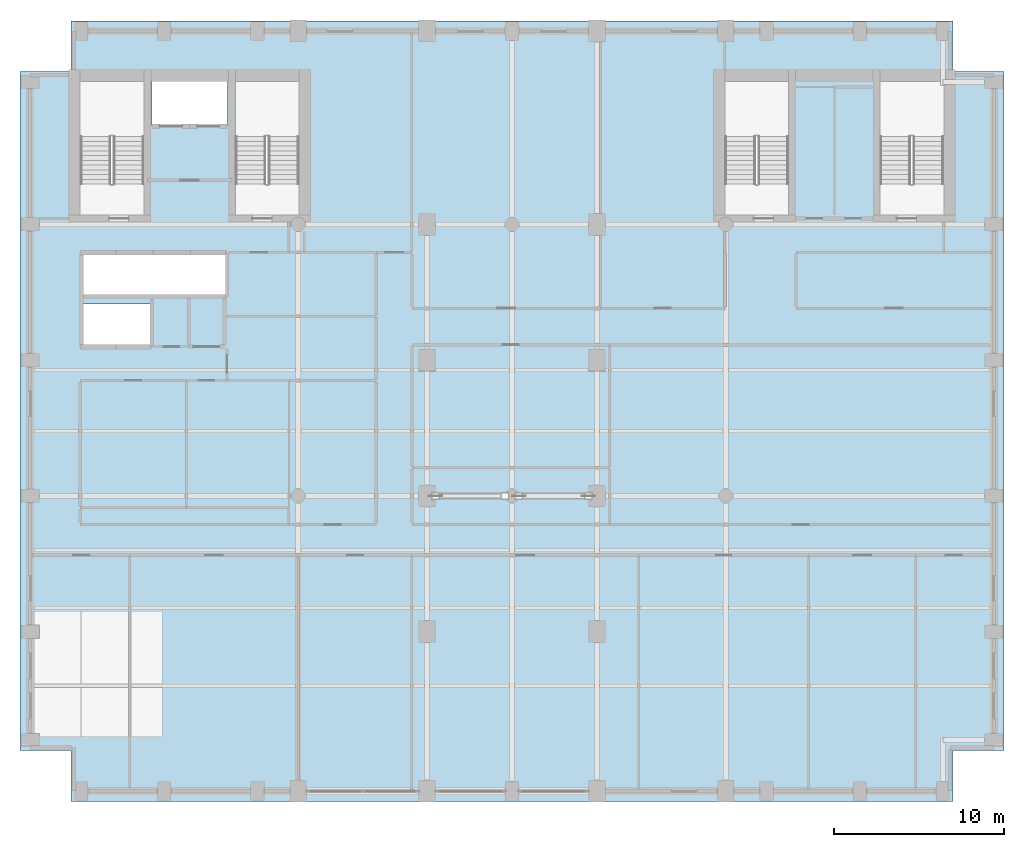
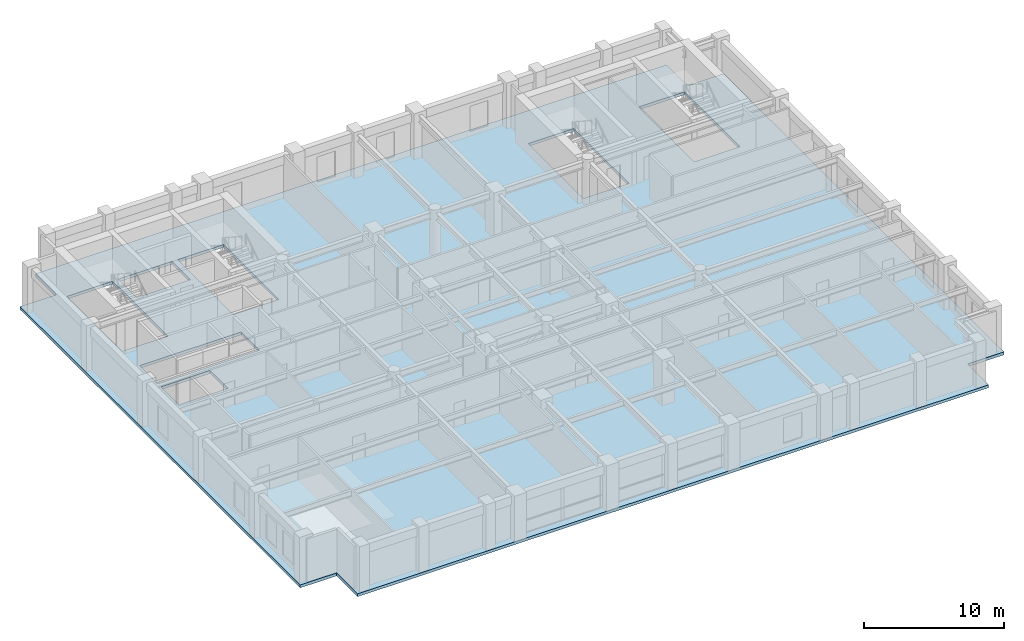
# One storey, part 5 of 13: 1 slab.
"""IFC4 building model written with IfcOpenShell, lengths in metres."""

import ifcopenshell
import ifcopenshell.guid

model = None  # the IFC model being written
_history = None  # IfcOwnerHistory: only IFC2X3 demands one
_inside = {}  # id of a spatial element -> (the spatial element, [elements in it])
_under = {}  # id of a project, library or spatial element -> (it, [spatial elements below it])
_declared = {}  # id of a project -> (the project, [libraries it declares])
_typed = {}  # id of a type object -> (the type object, [elements of that type])
_made_of = {}  # id of a material, layer set ... -> (it, [elements and type objects made of it])


def new_model(schema):
    """Start an empty IFC model of exactly this schema.

    Asked for "IFC4X3", IfcOpenShell would pick the latest addendum, in which some entities
    have other attributes; the version numbers below select the first issue.
    IFC2X3 requires an IfcOwnerHistory on every rooted entity: one is made here for all.
    """
    global model, _history
    if schema == "IFC4X3":
        model = ifcopenshell.file(schema_version=(4, 3, 0, 0))
    else:
        model = ifcopenshell.file(schema=schema)
    _inside.clear()
    _under.clear()
    _declared.clear()
    _typed.clear()
    _made_of.clear()
    _history = None
    if model.schema == "IFC2X3":
        org = make("IfcOrganization", Name="unknown")
        user = make(
            "IfcPersonAndOrganization",
            ThePerson=make("IfcPerson", FamilyName="unknown"),
            TheOrganization=org,
        )
        app = make(
            "IfcApplication",
            ApplicationDeveloper=org,
            Version="unknown",
            ApplicationFullName="unknown",
            ApplicationIdentifier="unknown",
        )
        _history = make(
            "IfcOwnerHistory",
            OwningUser=user,
            OwningApplication=app,
            ChangeAction="ADDED",
            CreationDate=0,
        )
    return model


def make(cls, **values):
    """One entity of the class cls with the attributes given. An attribute that is None is left unset."""
    return model.create_entity(
        cls, **{name: value for name, value in values.items() if value is not None}
    )


def rooted(cls, **values):
    """An entity with a GlobalId (a new one), such as an element, a storey or a relation."""
    return make(cls, GlobalId=ifcopenshell.guid.new(), OwnerHistory=_history, **values)


def si_unit(unit_type, name, prefix=None):
    """IfcSIUnit, for example si_unit("LENGTHUNIT", "METRE", prefix="MILLI")."""
    return make("IfcSIUnit", UnitType=unit_type, Prefix=prefix, Name=name)


def assignment(units):
    """IfcUnitAssignment: the units of a project."""
    return None if units is None else make("IfcUnitAssignment", Units=units)


def point(xyz):
    """IfcCartesianPoint."""
    return None if xyz is None else make("IfcCartesianPoint", Coordinates=xyz)


def direction(xyz):
    """IfcDirection."""
    return None if xyz is None else make("IfcDirection", DirectionRatios=xyz)


def frame(location, z_axis=None, x_axis=None):
    """IfcAxis2Placement3D, a coordinate frame: its origin and axes. An axis left out is left unset."""
    return make(
        "IfcAxis2Placement3D",
        Location=point(location),
        Axis=direction(z_axis),
        RefDirection=direction(x_axis),
    )


def origin():
    """The frame at (0, 0, 0) with its axes left unset."""
    return frame((0.0, 0.0, 0.0))


def place(relative_to, where):
    """IfcLocalPlacement: puts the frame where relative to a parent placement (None: the world)."""
    return make(
        "IfcLocalPlacement", PlacementRelTo=relative_to, RelativePlacement=where
    )


def context(
    kind, dimensions, precision=None, world=None, true_north=None, identifier=None
):
    """IfcGeometricRepresentationContext, for example the 3D "Model" context."""
    return make(
        "IfcGeometricRepresentationContext",
        ContextIdentifier=identifier,
        ContextType=kind,
        CoordinateSpaceDimension=dimensions,
        Precision=precision,
        WorldCoordinateSystem=world,
        TrueNorth=true_north,
    )


def subcontext(parent, identifier, kind, view, scale=None):
    """IfcGeometricRepresentationSubContext, for example "Body" below "Model"."""
    return make(
        "IfcGeometricRepresentationSubContext",
        ContextIdentifier=identifier,
        ContextType=kind,
        ParentContext=parent,
        TargetScale=scale,
        TargetView=view,
    )


def project(units=None, contexts=None):
    """IfcProject with its units and contexts."""
    return rooted(
        "IfcProject",
        Name="project",
        RepresentationContexts=contexts,
        UnitsInContext=assignment(units),
    )


def spatial(cls, under=None, at=None, **own):
    """A site, building, storey or space (cls), placed at a placement, below another one or the project."""
    s = rooted(cls, ObjectPlacement=at, **own)
    if under is not None:
        _under.setdefault(under.id(), (under, []))[1].append(s)
    return s


def polyline(points):
    """IfcPolyline through the points."""
    return make("IfcPolyline", Points=[point(p) for p in points])


def outline(outer, holes=None, kind="AREA"):
    """IfcArbitraryClosedProfileDef: a profile drawn as a closed curve; with holes, ...WithVoids."""
    if holes is None:
        return make("IfcArbitraryClosedProfileDef", ProfileType=kind, OuterCurve=outer)
    return make(
        "IfcArbitraryProfileDefWithVoids",
        ProfileType=kind,
        OuterCurve=outer,
        InnerCurves=holes,
    )


def extrude(swept, where, along, depth):
    """IfcExtrudedAreaSolid: the profile swept, set in the frame where, extruded along a direction by depth."""
    return make(
        "IfcExtrudedAreaSolid",
        SweptArea=swept,
        Position=where,
        ExtrudedDirection=direction(along),
        Depth=depth,
    )


def shape(context_of_items, identifier, shape_type, items):
    """IfcShapeRepresentation: the items that make up one representation, for example the "Body"."""
    return make(
        "IfcShapeRepresentation",
        ContextOfItems=context_of_items,
        RepresentationIdentifier=identifier,
        RepresentationType=shape_type,
        Items=items,
    )


def material(Name=None, Category=None):
    """IfcMaterial."""
    return make("IfcMaterial", Name=Name, Category=Category)


def layer(
    of_material, thickness, ventilated=None, Name=None, Category=None, Priority=None
):
    """IfcMaterialLayer: one layer of a wall or slab, of a material (None: an air gap)."""
    return make(
        "IfcMaterialLayer",
        Material=of_material,
        LayerThickness=thickness,
        IsVentilated=ventilated,
        Name=Name,
        Category=Category,
        Priority=Priority,
    )


def layer_set(layers, Name=None):
    """IfcMaterialLayerSet."""
    return make("IfcMaterialLayerSet", MaterialLayers=layers, LayerSetName=Name)


def made_of(thing, what):
    """Note that an element or type object is made of a material, layer set ...; save() writes the relation."""
    if what is not None:
        _made_of.setdefault(what.id(), (what, []))[1].append(thing)
    return thing


def type_object(cls, material=None, **own):
    """A type object (cls), such as IfcWallType, which elements share."""
    return made_of(rooted(cls, **own), material)


def element(
    cls,
    number,
    at=None,
    inside=None,
    cuts=None,
    type_object=None,
    material=None,
    context=None,
    identifier="Body",
    shape_type=None,
    held_by="IfcProductDefinitionShape",
    body=None,
    shapes=None,
    **own,
):
    """One element of the class cls, such as IfcWall. Its Tag is "e" and its number.

    at: its placement. inside: the storey or other place that contains it. cuts: it is an
    opening in that element (IfcRelVoidsElement). A single representation is given by context,
    identifier, shape_type and body (its items); several are given by shapes. held_by: the class
    of the entity that holds the representations. save() writes the other relations.
    """
    e = rooted(cls, Tag="e%d" % number, ObjectPlacement=at, **own)
    if body is not None:
        shapes = [shape(context, identifier, shape_type, body)]
    if shapes is not None:
        e.Representation = make(held_by, Representations=shapes)
    if inside is not None:
        _inside.setdefault(inside.id(), (inside, []))[1].append(e)
    if cuts is not None:
        rooted(
            "IfcRelVoidsElement", RelatingBuildingElement=cuts, RelatedOpeningElement=e
        )
    if type_object is not None:
        _typed.setdefault(type_object.id(), (type_object, []))[1].append(e)
    return made_of(e, material)


def aggregate(whole, parts):
    """IfcRelAggregates: a whole, such as a stair, and the parts it consists of."""
    return rooted("IfcRelAggregates", RelatingObject=whole, RelatedObjects=parts)


def save(model, path):
    """Write the relations noted so far, then the file.

    IfcRelAggregates (storeys below a building ...), IfcRelContainedInSpatialStructure (elements
    in a storey), IfcRelDefinesByType, IfcRelAssociatesMaterial and IfcRelDeclares: one each for
    every whole, place, type object, material and project.
    """
    for whole, parts in _under.values():
        aggregate(whole, parts)
    for where, things in _inside.values():
        rooted(
            "IfcRelContainedInSpatialStructure",
            RelatedElements=things,
            RelatingStructure=where,
        )
    for kind, things in _typed.values():
        rooted("IfcRelDefinesByType", RelatedObjects=things, RelatingType=kind)
    for what, things in _made_of.values():
        rooted("IfcRelAssociatesMaterial", RelatedObjects=things, RelatingMaterial=what)
    for by, libraries in _declared.values():
        rooted("IfcRelDeclares", RelatingContext=by, RelatedDefinitions=libraries)
    model.write(path)


model = new_model("IFC4")

# Units and contexts
model_context = context("Model", 3, precision=1e-05, world=origin(), true_north=direction((0.0, 1.0)))
body_context = subcontext(model_context, "Body", "Model", "MODEL_VIEW")
ifc_project = project(units=[si_unit("LENGTHUNIT", "METRE"), si_unit("AREAUNIT", "SQUARE_METRE"), si_unit("VOLUMEUNIT", "CUBIC_METRE"), si_unit("PLANEANGLEUNIT", "RADIAN"), si_unit("MASSUNIT", "GRAM", prefix="KILO")], contexts=[model_context])

# Site, building, storey
site_placement = place(None, origin())
site = spatial("IfcSite", under=ifc_project, at=site_placement, CompositionType="ELEMENT")
building_placement = place(site_placement, origin())
building = spatial("IfcBuilding", under=site, at=building_placement, Name="Sulina Concourse Tower", CompositionType="ELEMENT")
storey_placement = place(building_placement, frame((0.0, 0.0, 202.60009765625)))
storey = spatial("IfcBuildingStorey", under=building, at=storey_placement, Name="L49", CompositionType="ELEMENT", Elevation=202.60009765625)

# Slab
ifc_material = material(Name="Concrete C50/60", Category="concrete")
ifc_layer = layer(ifc_material, 0.25)
ifc_layer_set = layer_set([ifc_layer], Name="Concrete C50/60")
slab_type = type_object("IfcSlabType", Name="High-Rise Composite Floor Slab 250mm", PredefinedType="FLOOR", material=ifc_layer_set)
slab_placement = place(storey_placement, frame((0.0, 0.0, -0.25)))
element("IfcSlab", 1, at=slab_placement, inside=storey, type_object=slab_type, Name="L49 structural floor slab", PredefinedType="FLOOR", context=body_context, shape_type="SweptSolid", body=[
    extrude(outline(polyline([(3.0, 0.0), (55.0, 0.0), (55.0, 3.0), (58.0, 3.0), (58.0, 43.0), (55.0, 43.0), (55.0, 46.0), (3.0, 46.0), (3.0, 43.0), (0.0, 43.0), (0.0, 3.0), (3.0, 3.0), (3.0, 0.0)]), holes=[polyline([(7.31005859375, 34.550048828125), (7.31005859375, 42.429931640625), (3.550048828125, 42.429931640625), (3.550048828125, 34.550048828125), (7.31005859375, 34.550048828125)]), polyline([(16.449951171875, 34.550048828125), (16.449951171875, 42.429931640625), (12.68994140625, 42.429931640625), (12.68994140625, 34.550048828125), (16.449951171875, 34.550048828125)]), polyline([(45.31005859375, 34.550048828125), (45.31005859375, 42.429931640625), (41.550048828125, 42.429931640625), (41.550048828125, 34.550048828125), (45.31005859375, 34.550048828125)]), polyline([(54.449951171875, 34.550048828125), (54.449951171875, 42.429931640625), (50.68994140625, 42.429931640625), (50.68994140625, 34.550048828125), (54.449951171875, 34.550048828125)]), polyline([(7.780029296875, 39.830078125), (12.219970703125, 39.830078125), (12.219970703125, 42.449951171875), (7.780029296875, 42.449951171875), (7.780029296875, 39.830078125)]), polyline([(3.739990234375, 26.780029296875), (7.77001953125, 26.780029296875), (7.77001953125, 29.320068359375), (3.739990234375, 29.320068359375), (3.739990234375, 26.780029296875)]), polyline([(3.739990234375, 29.780029296875), (12.10009765625, 29.780029296875), (12.10009765625, 32.3701171875), (3.739990234375, 32.3701171875), (3.739990234375, 29.780029296875)])]), origin(), (0.0, 0.0, 1.0), 0.25),
])

save(model, "model.ifc")
